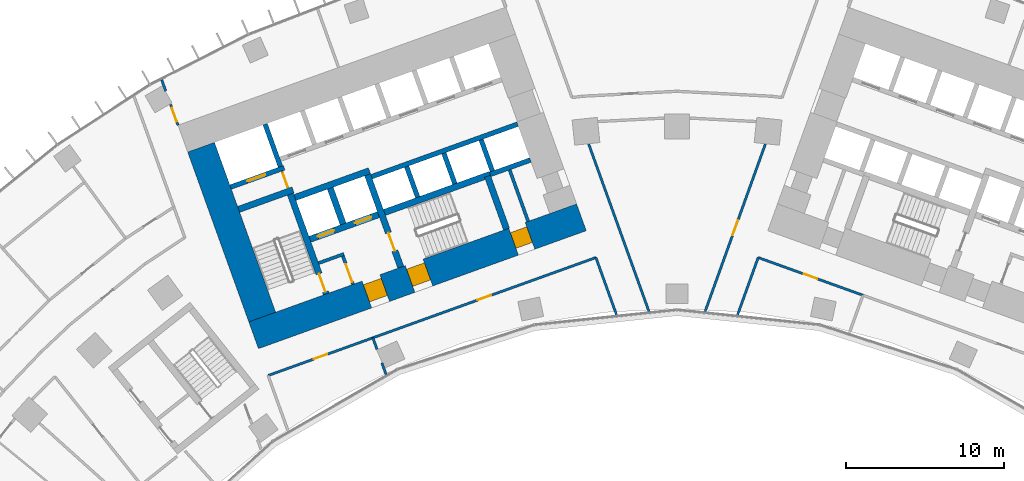
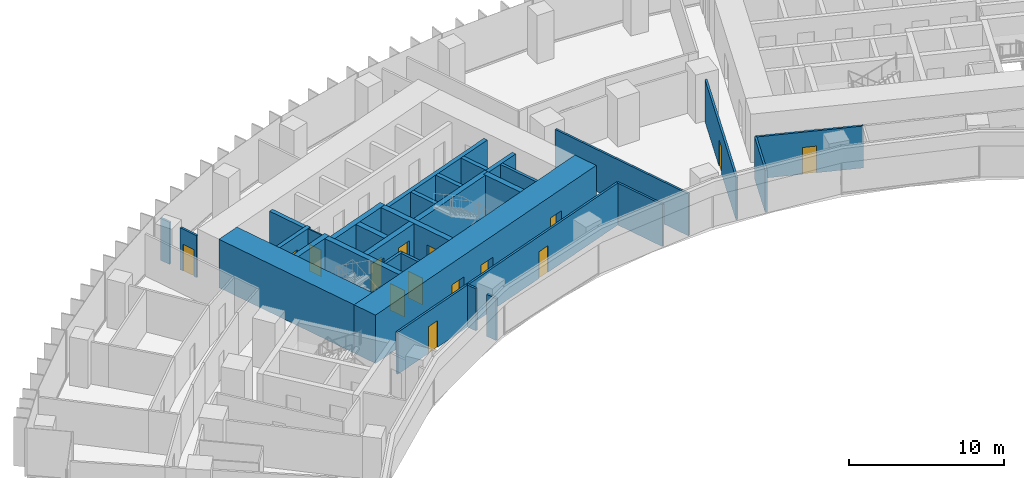
# One storey, part 18 of 24: 31 walls, 15 doors, 15 openings.
"""IFC4 building model written with IfcOpenShell, lengths in metres."""

from ifc_helpers import new_model, si_unit, direction, frame, frame_2d, origin, place, context, subcontext, project, spatial, rectangle, extrude, material, layer, layer_set, type_object, element, fill, save


model = new_model("IFC4")

# Units and contexts
model_context = context("Model", 3, precision=1e-05, world=origin(), true_north=direction((0.0, 1.0)))
body_context = subcontext(model_context, "Body", "Model", "MODEL_VIEW")
ifc_project = project(units=[si_unit("LENGTHUNIT", "METRE"), si_unit("AREAUNIT", "SQUARE_METRE"), si_unit("VOLUMEUNIT", "CUBIC_METRE"), si_unit("PLANEANGLEUNIT", "RADIAN"), si_unit("MASSUNIT", "GRAM", prefix="KILO")], contexts=[model_context])

# Site, building, storey
site_placement = place(None, origin())
site = spatial("IfcSite", under=ifc_project, at=site_placement, CompositionType="ELEMENT")
building_placement = place(site_placement, origin())
building = spatial("IfcBuilding", under=site, at=building_placement, Name="Stone Belt Terrace Tower", CompositionType="ELEMENT")
storey_placement = place(building_placement, frame((0.0, 0.0, 75.60009765625)))
storey = spatial("IfcBuildingStorey", under=building, at=storey_placement, Name="L18", CompositionType="ELEMENT", Elevation=75.60009765625)

# Wall, opening, door
ifc_material_1 = material(Name="Plasterboard partition")
ifc_layer_1 = layer(ifc_material_1, 0.10009765625)
ifc_layer_set_1 = layer_set([ifc_layer_1], Name="Core partition 100")
wall_type_1 = type_object("IfcWallType", Name="Core partition 100", PredefinedType="PARTITIONING", material=ifc_layer_set_1)
wall_1_placement = place(storey_placement, frame((-24.555908203125, 51.10400390625, 0.0), z_axis=(0.0, 0.0, 1.0), x_axis=(-0.338621735342, 0.94092258999, 0.0)))
wall_1 = element("IfcWall", 1, at=wall_1_placement, inside=storey, type_object=wall_type_1, Name="Core A wall", PredefinedType="PARTITIONING", context=body_context, shape_type="SweptSolid", body=[
    extrude(rectangle(XDim=1.14990234375, YDim=0.10009765625, at=frame_2d((0.574951171875, 0.0))), origin(), (0.0, 0.0, 1.0), 3.2998046875),
])
opening_1_placement = place(wall_1_placement, frame((0.050048828125, 0.0, 0.0)))
opening_1 = element("IfcOpeningElement", 2, at=opening_1_placement, cuts=wall_1, Name="Opening L18-C01", PredefinedType="OPENING", context=body_context, shape_type="SweptSolid", body=[
    extrude(rectangle(XDim=1.0, YDim=2.10009765625, at=frame_2d((0.5, 1.050048828125))), frame((0.0, 0.06005859375, 0.0), z_axis=(0.0, -1.0, 0.0), x_axis=(1.0, 0.0, 0.0)), (0.0, 0.0, 1.0), 0.1201171875),
])
ifc_material_2 = material(Name="Timber door leaf", Category="wood")
door_type_1 = type_object("IfcDoorType", Name="Core room door 1000", OperationType="SINGLE_SWING_LEFT", PredefinedType="DOOR", material=ifc_material_2)
door_1_placement = place(opening_1_placement, origin())
door_1 = element("IfcDoor", 3, at=door_1_placement, inside=storey, type_object=door_type_1, Name="Service lift lobby door core A", OperationType="SINGLE_SWING_RIGHT", OverallHeight=2.10009765625, OverallWidth=1.0, PredefinedType="DOOR", context=body_context, shape_type="SweptSolid", body=[
    extrude(rectangle(XDim=1.0, YDim=2.10009765625, at=frame_2d((0.5, 1.050048828125))), frame((0.0, 0.02490234375, 0.0), z_axis=(0.0, -1.0, 0.0), x_axis=(1.0, 0.0, 0.0)), (0.0, 0.0, 1.0), 0.050048828125),
])
fill(opening_1, door_1)

# Wall, openings, doors
ifc_material_3 = material(Name="Concrete B80", Category="concrete")
ifc_layer_2 = layer(ifc_material_3, 1.800048828125)
ifc_layer_set_2 = layer_set([ifc_layer_2], Name="Core wall 1800 B80")
wall_type_2 = type_object("IfcWallType", Name="Core wall 1800 B80", PredefinedType="SHEAR", material=ifc_layer_set_2)
wall_2_placement = place(storey_placement, frame((-26.739501953125, 41.815673828125, 0.0), z_axis=(0.0, 0.0, 1.0), x_axis=(0.940921642213, 0.338624368902, 0.0)))
wall_2 = element("IfcWall", 4, at=wall_2_placement, inside=storey, type_object=wall_type_2, Name="Core A wall concave L18", PredefinedType="SHEAR", context=body_context, shape_type="SweptSolid", body=[
    extrude(rectangle(XDim=22.0, YDim=1.800048828125, at=frame_2d((11.0, 0.0))), origin(), (0.0, 0.0, 1.0), 3.7998046875),
])
opening_2_placement = place(wall_2_placement, frame((7.60009765625, 0.0, 0.0)))
opening_2 = element("IfcOpeningElement", 5, at=opening_2_placement, cuts=wall_2, Name="Opening L18-C05", PredefinedType="OPENING", context=body_context, shape_type="SweptSolid", body=[
    extrude(rectangle(XDim=1.199951171875, YDim=2.10009765625, at=frame_2d((0.60009765625, 1.050048828125))), frame((0.0, 0.909912109375, 0.0), z_axis=(0.0, -1.0, 0.0), x_axis=(1.0, 0.0, 0.0)), (0.0, 0.0, 1.0), 1.820068359375),
])
opening_3_placement = place(wall_2_placement, frame((10.5, 0.0, 0.0)))
opening_3 = element("IfcOpeningElement", 6, at=opening_3_placement, cuts=wall_2, Name="Opening L18-C07", PredefinedType="OPENING", context=body_context, shape_type="SweptSolid", body=[
    extrude(rectangle(XDim=1.199951171875, YDim=2.10009765625, at=frame_2d((0.60009765625, 1.050048828125))), frame((0.0, 0.909912109375, 0.0), z_axis=(0.0, -1.0, 0.0), x_axis=(1.0, 0.0, 0.0)), (0.0, 0.0, 1.0), 1.820068359375),
])
opening_4_placement = place(wall_2_placement, frame((17.449951171875, 0.0, 0.0)))
opening_4 = element("IfcOpeningElement", 7, at=opening_4_placement, cuts=wall_2, Name="Opening L18-C09", PredefinedType="OPENING", context=body_context, shape_type="SweptSolid", body=[
    extrude(rectangle(XDim=1.10009765625, YDim=2.10009765625, at=frame_2d((0.550048828125, 1.050048828125))), frame((0.0, 0.909912109375, 0.0), z_axis=(0.0, -1.0, 0.0), x_axis=(1.0, 0.0, 0.0)), (0.0, 0.0, 1.0), 1.820068359375),
])
door_type_2 = type_object("IfcDoorType", Name="Core room door 1100", OperationType="SINGLE_SWING_LEFT", PredefinedType="DOOR", material=ifc_material_2)
door_2_placement = place(opening_4_placement, origin())
door_2 = element("IfcDoor", 8, at=door_2_placement, inside=storey, type_object=door_type_2, Name="Door to Communications riser room core A", OperationType="SINGLE_SWING_RIGHT", OverallHeight=2.10009765625, OverallWidth=1.10009765625, PredefinedType="DOOR", context=body_context, shape_type="SweptSolid", body=[
    extrude(rectangle(XDim=1.10009765625, YDim=2.10009765625, at=frame_2d((0.550048828125, 1.050048828125))), frame((0.0, 0.60498046875, 0.0), z_axis=(0.0, -1.0, 0.0), x_axis=(1.0, 0.0, 0.0)), (0.0, 0.0, 1.0), 1.050048828125),
])
fill(opening_4, door_2)
ifc_material_4 = material(Name="Steel door leaf", Category="steel")
door_type_3 = type_object("IfcDoorType", Name="Fire-fighting lobby door 1200", OperationType="SINGLE_SWING_LEFT", PredefinedType="DOOR", material=ifc_material_4)
door_3_placement = place(opening_2_placement, origin())
door_3 = element("IfcDoor", 9, at=door_3_placement, inside=storey, type_object=door_type_3, Name="Fire-fighting lobby door core A", OperationType="SINGLE_SWING_RIGHT", OverallHeight=2.10009765625, OverallWidth=1.199951171875, PredefinedType="DOOR", context=body_context, shape_type="SweptSolid", body=[
    extrude(rectangle(XDim=1.199951171875, YDim=2.10009765625, at=frame_2d((0.60009765625, 1.050048828125))), frame((0.0, 0.655029296875, 0.0), z_axis=(0.0, -1.0, 0.0), x_axis=(1.0, 0.0, 0.0)), (0.0, 0.0, 1.0), 1.14990234375),
])
fill(opening_2, door_3)
door_type_4 = type_object("IfcDoorType", Name="Stair door 1200", OperationType="SINGLE_SWING_LEFT", PredefinedType="DOOR", material=ifc_material_4)
door_4_placement = place(opening_3_placement, origin())
door_4 = element("IfcDoor", 10, at=door_4_placement, inside=storey, type_object=door_type_4, Name="Stair 2 exit door core A", OperationType="SINGLE_SWING_LEFT", OverallHeight=2.10009765625, OverallWidth=1.199951171875, PredefinedType="DOOR", context=body_context, shape_type="SweptSolid", body=[
    extrude(rectangle(XDim=1.199951171875, YDim=2.10009765625, at=frame_2d((0.60009765625, 1.050048828125))), frame((0.0, 0.655029296875, 0.0), z_axis=(0.0, -1.0, 0.0), x_axis=(1.0, 0.0, 0.0)), (0.0, 0.0, 1.0), 1.14990234375),
])
fill(opening_3, door_4)

# Walls
wall_3_placement = place(storey_placement, frame((-26.197509765625, 42.96728515625, 0.0), z_axis=(0.0, 0.0, 1.0), x_axis=(-0.338625431531, 0.940921259788, 0.0)))
element("IfcWall", 11, at=wall_3_placement, inside=storey, type_object=wall_type_2, Name="Core A wall end_a L18", PredefinedType="SHEAR", context=body_context, shape_type="SweptSolid", body=[
    extrude(rectangle(XDim=11.400146484375, YDim=1.800048828125, at=frame_2d((5.7001953125, 0.0))), origin(), (0.0, 0.0, 1.0), 3.7998046875),
])
ifc_layer_3 = layer(ifc_material_3, 0.39990234375)
ifc_layer_set_3 = layer_set([ifc_layer_3], Name="Fire-fighting lift shaft wall 400")
wall_type_3 = type_object("IfcWallType", Name="Fire-fighting lift shaft wall 400", PredefinedType="SHEAR", material=ifc_layer_set_3)
wall_4_placement = place(storey_placement, frame((-24.130615234375, 50.512939453125, 0.0), z_axis=(0.0, 0.0, 1.0), x_axis=(0.94091168377, 0.338652038744, 0.0)))
element("IfcWall", 12, at=wall_4_placement, inside=storey, type_object=wall_type_3, Name="Core A wall", PredefinedType="SHEAR", context=body_context, shape_type="SweptSolid", body=[
    extrude(rectangle(XDim=5.000244140625, YDim=0.39990234375, at=frame_2d((2.5, 0.0))), origin(), (0.0, 0.0, 1.0), 3.2998046875),
])
wall_5_placement = place(storey_placement, frame((-21.0859375, 48.845458984375, 0.0), z_axis=(0.0, 0.0, 1.0), x_axis=(-0.338629416206, 0.940919825745, 0.0)))
element("IfcWall", 13, at=wall_5_placement, inside=storey, type_object=wall_type_3, Name="Core A wall", PredefinedType="SHEAR", context=body_context, shape_type="SweptSolid", body=[
    extrude(rectangle(XDim=2.400146484375, YDim=0.39990234375, at=frame_2d((1.2001953125, 0.0))), origin(), (0.0, 0.0, 1.0), 3.2998046875),
])

# Wall, opening, door
ifc_layer_4 = layer(ifc_material_3, 0.300048828125)
ifc_layer_set_4 = layer_set([ifc_layer_4], Name="Lift shaft wall 300")
wall_type_4 = type_object("IfcWallType", Name="Lift shaft wall 300", PredefinedType="SHEAR", material=ifc_layer_set_4)
wall_6_placement = place(storey_placement, frame((-28.195068359375, 51.17578125, 0.0), z_axis=(0.0, 0.0, 1.0), x_axis=(0.940901243567, 0.338681044427, 0.0)))
wall_6 = element("IfcWall", 14, at=wall_6_placement, inside=storey, type_object=wall_type_4, Name="Core A wall", PredefinedType="SHEAR", context=body_context, shape_type="SweptSolid", body=[
    extrude(rectangle(XDim=3.599853515625, YDim=0.300048828125, at=frame_2d((1.7998046875, 0.0))), origin(), (0.0, 0.0, 1.0), 3.2998046875),
])
opening_5_placement = place(wall_6_placement, frame((1.1201171875, 0.0, 0.0)))
opening_5 = element("IfcOpeningElement", 15, at=opening_5_placement, cuts=wall_6, Name="Opening L18-LD09", PredefinedType="OPENING", context=body_context, shape_type="SweptSolid", body=[
    extrude(rectangle(XDim=1.199951171875, YDim=2.199951171875, at=frame_2d((0.60009765625, 1.10009765625))), frame((0.0, 0.159912109375, 0.0), z_axis=(0.0, -1.0, 0.0), x_axis=(1.0, 0.0, 0.0)), (0.0, 0.0, 1.0), 0.320068359375),
])
ifc_material_5 = material(Name="Stainless steel door leaf", Category="steel")
door_type_5 = type_object("IfcDoorType", Name="Landing door 1200", OperationType="SLIDING_TO_LEFT", PredefinedType="DOOR", material=ifc_material_5)
door_5_placement = place(opening_5_placement, origin())
door_5 = element("IfcDoor", 16, at=door_5_placement, inside=storey, type_object=door_type_5, Name="Landing door SV1 core A", OperationType="SLIDING_TO_LEFT", OverallHeight=2.199951171875, OverallWidth=1.199951171875, PredefinedType="DOOR", context=body_context, shape_type="SweptSolid", body=[
    extrude(rectangle(XDim=1.199951171875, YDim=2.199951171875, at=frame_2d((0.60009765625, 1.10009765625))), frame((0.0, 0.02490234375, 0.0), z_axis=(0.0, -1.0, 0.0), x_axis=(1.0, 0.0, 0.0)), (0.0, 0.0, 1.0), 0.050048828125),
])
fill(opening_5, door_5)

# Walls
wall_7_placement = place(storey_placement, frame((-25.046875, 52.46826171875, 0.0), z_axis=(0.0, 0.0, 1.0), x_axis=(-0.338549588058, 0.940948551423, 0.0)))
element("IfcWall", 17, at=wall_7_placement, inside=storey, type_object=wall_type_4, Name="Core A wall", PredefinedType="SHEAR", context=body_context, shape_type="SweptSolid", body=[
    extrude(rectangle(XDim=2.849853515625, YDim=0.300048828125, at=frame_2d((1.4248046875, 0.0))), origin(), (0.0, 0.0, 1.0), 3.2998046875),
])
wall_8_placement = place(storey_placement, frame((-19.29052734375, 51.829833984375, 0.0), z_axis=(0.0, 0.0, 1.0), x_axis=(0.940925833398, 0.338612722803, 0.0)))
element("IfcWall", 18, at=wall_8_placement, inside=storey, type_object=wall_type_4, Name="Core A wall", PredefinedType="SHEAR", context=body_context, shape_type="SweptSolid", body=[
    extrude(rectangle(XDim=9.7998046875, YDim=0.300048828125, at=frame_2d((4.89990234375, 0.0))), origin(), (0.0, 0.0, 1.0), 3.2998046875),
])
for number, where, z_axis, x_axis, name in (
    (19, (-16.38134765625, 50.53857421875, 0.0), (0.0, 0.0, 1.0), (-0.338681515556, 0.940901073982, 0.0), "Core A wall"),
    (20, (-14.029052734375, 51.38525390625, 0.0), (0.0, 0.0, 1.0), (-0.338681515556, 0.940901073982, 0.0), "Core A wall"),
):
    element("IfcWall", number, at=place(storey_placement, frame(where, z_axis=z_axis, x_axis=x_axis)), inside=storey, type_object=wall_type_4, Name=name, PredefinedType="SHEAR", context=body_context, shape_type="SweptSolid", body=[
        extrude(rectangle(XDim=2.050048828125, YDim=0.300048828125, at=frame_2d((1.02490234375, 0.0))), origin(), (0.0, 0.0, 1.0), 3.2998046875),
    ])
wall_9_placement = place(storey_placement, frame((-11.797119140625, 51.975830078125, 0.0), z_axis=(0.0, 0.0, 1.0), x_axis=(0.940910465161, 0.33865542451, 0.0)))
element("IfcWall", 21, at=wall_9_placement, inside=storey, type_object=wall_type_4, Name="Core A wall", PredefinedType="SHEAR", context=body_context, shape_type="SweptSolid", body=[
    extrude(rectangle(XDim=2.69970703125, YDim=0.300048828125, at=frame_2d((1.349853515625, 0.0))), origin(), (0.0, 0.0, 1.0), 3.2998046875),
])
wall_10_placement = place(storey_placement, frame((-11.659912109375, 52.184814453125, 0.0), z_axis=(0.0, 0.0, 1.0), x_axis=(-0.338670064856, 0.940905195634, 0.0)))
element("IfcWall", 22, at=wall_10_placement, inside=storey, type_object=wall_type_4, Name="Core A wall", PredefinedType="SHEAR", context=body_context, shape_type="SweptSolid", body=[
    extrude(rectangle(XDim=2.099853515625, YDim=0.300048828125, at=frame_2d((1.0498046875, 0.0))), origin(), (0.0, 0.0, 1.0), 3.2998046875),
])
ifc_material_6 = material(Name="Gypsum board partition")
ifc_layer_5 = layer(ifc_material_6, 0.14990234375)
ifc_layer_set_5 = layer_set([ifc_layer_5], Name="PARTITION 150 EI 60")
wall_type_5 = type_object("IfcWallType", Name="PARTITION 150 EI 60", PredefinedType="PARTITIONING", material=ifc_layer_set_5)
wall_11_placement = place(storey_placement, frame((-32.5458984375, 57.947998046875, 0.0), z_axis=(0.0, 0.0, 1.0), x_axis=(0.338960201827, -0.940800712998, 0.0)))
element("IfcWall", 23, at=wall_11_placement, inside=storey, type_object=wall_type_5, Name="L18/wall/i002", PredefinedType="PARTITIONING", context=body_context, shape_type="SweptSolid", body=[
    extrude(rectangle(XDim=0.754150390625, YDim=0.14990234375, at=frame_2d((0.376953125, 0.0))), origin(), (0.0, 0.0, 1.0), 3.2998046875),
])

# Wall, opening, door
wall_12_placement = place(storey_placement, frame((-31.98681640625, 56.39599609375, 0.0), z_axis=(0.0, 0.0, 1.0), x_axis=(0.338861945182, -0.940836107995, 0.0)))
wall_12 = element("IfcWall", 24, at=wall_12_placement, inside=storey, type_object=wall_type_5, Name="L18/wall/i003", PredefinedType="PARTITIONING", context=body_context, shape_type="SweptSolid", body=[
    extrude(rectangle(XDim=1.3955078125, YDim=0.14990234375, at=frame_2d((0.69775390625, 0.0))), origin(), (0.0, 0.0, 1.0), 3.2998046875),
])
opening_6_placement = place(wall_12_placement, frame((0.247802734375, 0.0, 0.0)))
opening_6 = element("IfcOpeningElement", 25, at=opening_6_placement, cuts=wall_12, Name="Opening D-A5-03", PredefinedType="OPENING", context=body_context, shape_type="SweptSolid", body=[
    extrude(rectangle(XDim=0.89990234375, YDim=2.10009765625, at=frame_2d((0.449951171875, 1.050048828125))), frame((0.0, 0.0849609375, 0.0), z_axis=(0.0, -1.0, 0.0), x_axis=(1.0, 0.0, 0.0)), (0.0, 0.0, 1.0), 0.169921875),
])
door_type_6 = type_object("IfcDoorType", Name="OFFICE DOOR 900 X 2100", OperationType="NOTDEFINED", PredefinedType="DOOR", material=ifc_material_2)
door_6_placement = place(opening_6_placement, origin())
door_6 = element("IfcDoor", 26, at=door_6_placement, inside=storey, type_object=door_type_6, Name="L18/door/i03", OperationType="SINGLE_SWING_RIGHT", OverallHeight=2.10009765625, OverallWidth=0.89990234375, PredefinedType="DOOR", context=body_context, shape_type="SweptSolid", body=[
    extrude(rectangle(XDim=0.89990234375, YDim=2.10009765625, at=frame_2d((0.449951171875, 1.050048828125))), frame((0.0, 0.02490234375, 0.0), z_axis=(0.0, -1.0, 0.0), x_axis=(1.0, 0.0, 0.0)), (0.0, 0.0, 1.0), 0.050048828125),
])
fill(opening_6, door_6)

# Walls
wall_13_placement = place(storey_placement, frame((-3.819580078125, 43.0986328125, 0.0), z_axis=(0.0, 0.0, 1.0), x_axis=(-0.338659002829, 0.940909177234, 0.0)))
element("IfcWall", 27, at=wall_13_placement, inside=storey, type_object=wall_type_5, Name="L18/wall/i008", PredefinedType="PARTITIONING", context=body_context, shape_type="SweptSolid", body=[
    extrude(rectangle(XDim=3.8603515625, YDim=0.14990234375, at=frame_2d((1.93017578125, 0.0))), origin(), (0.0, 0.0, 1.0), 3.2998046875),
])
wall_14_placement = place(storey_placement, frame((-5.574951171875, 53.88232421875, 0.0), z_axis=(0.0, 0.0, 1.0), x_axis=(0.338622486498, -0.940922319662, 0.0)))
element("IfcWall", 28, at=wall_14_placement, inside=storey, type_object=wall_type_5, Name="L18/wall/i010", PredefinedType="PARTITIONING", context=body_context, shape_type="SweptSolid", body=[
    extrude(rectangle(XDim=11.232177734375, YDim=0.14990234375, at=frame_2d((5.6162109375, 0.0))), origin(), (0.0, 0.0, 1.0), 3.2998046875),
])

# Wall, opening, door
wall_15_placement = place(storey_placement, frame((-19.2041015625, 41.657958984375, 0.0), z_axis=(0.0, 0.0, 1.0), x_axis=(-0.940907755702, -0.338662952299, 0.0)))
wall_15 = element("IfcWall", 29, at=wall_15_placement, inside=storey, type_object=wall_type_5, Name="L18/wall/i012", PredefinedType="PARTITIONING", context=body_context, shape_type="SweptSolid", body=[
    extrude(rectangle(XDim=7.03662109375, YDim=0.14990234375, at=frame_2d((3.518310546875, 0.0))), origin(), (0.0, 0.0, 1.0), 3.2998046875),
])
opening_7_placement = place(wall_15_placement, frame((3.068359375, 0.0, 0.0)))
opening_7 = element("IfcOpeningElement", 30, at=opening_7_placement, cuts=wall_15, Name="Opening D-A5-01", PredefinedType="OPENING", context=body_context, shape_type="SweptSolid", body=[
    extrude(rectangle(XDim=0.89990234375, YDim=2.10009765625, at=frame_2d((0.449951171875, 1.050048828125))), frame((0.0, 0.0849609375, 0.0), z_axis=(0.0, -1.0, 0.0), x_axis=(1.0, 0.0, 0.0)), (0.0, 0.0, 1.0), 0.169921875),
])
door_7_placement = place(opening_7_placement, origin())
door_7 = element("IfcDoor", 31, at=door_7_placement, inside=storey, type_object=door_type_6, Name="L18/door/i01", OperationType="SINGLE_SWING_RIGHT", OverallHeight=2.10009765625, OverallWidth=0.89990234375, PredefinedType="DOOR", context=body_context, shape_type="SweptSolid", body=[
    extrude(rectangle(XDim=0.89990234375, YDim=2.10009765625, at=frame_2d((0.449951171875, 1.050048828125))), frame((0.0, 0.02490234375, 0.0), z_axis=(0.0, -1.0, 0.0), x_axis=(1.0, 0.0, 0.0)), (0.0, 0.0, 1.0), 0.050048828125),
])
fill(opening_7, door_7)

wall_16_placement = place(storey_placement, frame((-5.125, 46.72509765625, 0.0), z_axis=(0.0, 0.0, 1.0), x_axis=(-0.940924398341, -0.338616710466, 0.0)))
wall_16 = element("IfcWall", 32, at=wall_16_placement, inside=storey, type_object=wall_type_5, Name="L18/wall/i013", PredefinedType="PARTITIONING", context=body_context, shape_type="SweptSolid", body=[
    extrude(rectangle(XDim=14.975830078125, YDim=0.14990234375, at=frame_2d((7.48779296875, 0.0))), origin(), (0.0, 0.0, 1.0), 3.2998046875),
])
opening_8_placement = place(wall_16_placement, frame((7.037841796875, 0.0, 0.0)))
opening_8 = element("IfcOpeningElement", 33, at=opening_8_placement, cuts=wall_16, Name="Opening D-A5-02", PredefinedType="OPENING", context=body_context, shape_type="SweptSolid", body=[
    extrude(rectangle(XDim=0.89990234375, YDim=2.10009765625, at=frame_2d((0.449951171875, 1.050048828125))), frame((0.0, 0.0849609375, 0.0), z_axis=(0.0, -1.0, 0.0), x_axis=(1.0, 0.0, 0.0)), (0.0, 0.0, 1.0), 0.169921875),
])
door_8_placement = place(opening_8_placement, origin())
door_8 = element("IfcDoor", 34, at=door_8_placement, inside=storey, type_object=door_type_6, Name="L18/door/i02", OperationType="SINGLE_SWING_RIGHT", OverallHeight=2.10009765625, OverallWidth=0.89990234375, PredefinedType="DOOR", context=body_context, shape_type="SweptSolid", body=[
    extrude(rectangle(XDim=0.89990234375, YDim=2.10009765625, at=frame_2d((0.449951171875, 1.050048828125))), frame((0.0, 0.02490234375, 0.0), z_axis=(0.0, -1.0, 0.0), x_axis=(1.0, 0.0, 0.0)), (0.0, 0.0, 1.0), 0.050048828125),
])
fill(opening_8, door_8)

# Walls
wall_17_placement = place(storey_placement, frame((-19.2099609375, 41.656005859375, 0.0), z_axis=(0.0, 0.0, 1.0), x_axis=(0.338584750812, -0.940935899261, 0.0)))
element("IfcWall", 35, at=wall_17_placement, inside=storey, type_object=wall_type_5, Name="L18/wall/i014", PredefinedType="PARTITIONING", context=body_context, shape_type="SweptSolid", body=[
    extrude(rectangle(XDim=0.77001953125, YDim=0.14990234375, at=frame_2d((0.385009765625, 0.0))), origin(), (0.0, 0.0, 1.0), 3.2998046875),
])
wall_18_placement = place(storey_placement, frame((-18.637939453125, 40.06640625, 0.0), z_axis=(0.0, 0.0, 1.0), x_axis=(0.338933376884, -0.940810377299, 0.0)))
element("IfcWall", 36, at=wall_18_placement, inside=storey, type_object=wall_type_5, Name="L18/wall/i015", PredefinedType="PARTITIONING", context=body_context, shape_type="SweptSolid", body=[
    extrude(rectangle(XDim=0.767822265625, YDim=0.14990234375, at=frame_2d((0.3837890625, 0.0))), origin(), (0.0, 0.0, 1.0), 3.2998046875),
])
wall_19_placement = place(storey_placement, frame((5.126953125, 46.73095703125, 0.0), z_axis=(0.0, 0.0, 1.0), x_axis=(-0.338659002829, -0.940909177234, 0.0)))
element("IfcWall", 37, at=wall_19_placement, inside=storey, type_object=wall_type_5, Name="L18/wall/i017", PredefinedType="PARTITIONING", context=body_context, shape_type="SweptSolid", body=[
    extrude(rectangle(XDim=3.8603515625, YDim=0.14990234375, at=frame_2d((1.93017578125, 0.0))), origin(), (0.0, 0.0, 1.0), 3.2998046875),
])

# Wall, opening, door
wall_20_placement = place(storey_placement, frame((1.771484375, 43.313720703125, 0.0), z_axis=(0.0, 0.0, 1.0), x_axis=(0.338622486498, 0.940922319662, 0.0)))
wall_20 = element("IfcWall", 38, at=wall_20_placement, inside=storey, type_object=wall_type_5, Name="L18/wall/i019", PredefinedType="PARTITIONING", context=body_context, shape_type="SweptSolid", body=[
    extrude(rectangle(XDim=11.232177734375, YDim=0.14990234375, at=frame_2d((5.6162109375, 0.0))), origin(), (0.0, 0.0, 1.0), 3.2998046875),
])
opening_9_placement = place(wall_20_placement, frame((5.1162109375, 0.0, 0.0)))
opening_9 = element("IfcOpeningElement", 39, at=opening_9_placement, cuts=wall_20, Name="Opening D-A5-24", PredefinedType="OPENING", context=body_context, shape_type="SweptSolid", body=[
    extrude(rectangle(XDim=1.0, YDim=2.10009765625, at=frame_2d((0.5, 1.050048828125))), frame((0.0, 0.0849609375, 0.0), z_axis=(0.0, -1.0, 0.0), x_axis=(1.0, 0.0, 0.0)), (0.0, 0.0, 1.0), 0.169921875),
])
ifc_material_7 = material(Name="Timber fire door leaf", Category="wood")
door_type_7 = type_object("IfcDoorType", Name="TENANCY ENTRANCE DOOR 1000 X 2100", OperationType="NOTDEFINED", PredefinedType="DOOR", material=ifc_material_7)
door_9_placement = place(opening_9_placement, origin())
door_9 = element("IfcDoor", 40, at=door_9_placement, inside=storey, type_object=door_type_7, Name="L18/door/i24", OperationType="SINGLE_SWING_LEFT", OverallHeight=2.10009765625, OverallWidth=1.0, PredefinedType="DOOR", context=body_context, shape_type="SweptSolid", body=[
    extrude(rectangle(XDim=1.0, YDim=2.10009765625, at=frame_2d((0.5, 1.050048828125))), frame((0.0, 0.02490234375, 0.0), z_axis=(0.0, -1.0, 0.0), x_axis=(1.0, 0.0, 0.0)), (0.0, 0.0, 1.0), 0.050048828125),
])
fill(opening_9, door_9)

wall_21_placement = place(storey_placement, frame((11.74609375, 44.342041015625, 0.0), z_axis=(0.0, 0.0, 1.0), x_axis=(-0.940911734826, 0.338651896889, 0.0)))
wall_21 = element("IfcWall", 41, at=wall_21_placement, inside=storey, type_object=wall_type_5, Name="L18/wall/i027", PredefinedType="PARTITIONING", context=body_context, shape_type="SweptSolid", body=[
    extrude(rectangle(XDim=7.036865234375, YDim=0.14990234375, at=frame_2d((3.5185546875, 0.0))), origin(), (0.0, 0.0, 1.0), 3.2998046875),
])
opening_10_placement = place(wall_21_placement, frame((3.068359375, 0.0, 0.0)))
opening_10 = element("IfcOpeningElement", 42, at=opening_10_placement, cuts=wall_21, Name="Opening D-A5-05", PredefinedType="OPENING", context=body_context, shape_type="SweptSolid", body=[
    extrude(rectangle(XDim=0.89990234375, YDim=2.10009765625, at=frame_2d((0.449951171875, 1.050048828125))), frame((0.0, 0.0849609375, 0.0), z_axis=(0.0, -1.0, 0.0), x_axis=(1.0, 0.0, 0.0)), (0.0, 0.0, 1.0), 0.169921875),
])
door_10_placement = place(opening_10_placement, origin())
door_10 = element("IfcDoor", 43, at=door_10_placement, inside=storey, type_object=door_type_6, Name="L18/door/i05", OperationType="SINGLE_SWING_RIGHT", OverallHeight=2.10009765625, OverallWidth=0.89990234375, PredefinedType="DOOR", context=body_context, shape_type="SweptSolid", body=[
    extrude(rectangle(XDim=0.89990234375, YDim=2.10009765625, at=frame_2d((0.449951171875, 1.050048828125))), frame((0.0, 0.02490234375, 0.0), z_axis=(0.0, -1.0, 0.0), x_axis=(1.0, 0.0, 0.0)), (0.0, 0.0, 1.0), 0.050048828125),
])
fill(opening_10, door_10)

# Wall
ifc_material_8 = material(Name="Concrete masonry block", Category="masonry")
ifc_layer_6 = layer(ifc_material_8, 0.199951171875)
ifc_layer_set_6 = layer_set([ifc_layer_6], Name="Rated lobby wall 200")
wall_type_6 = type_object("IfcWallType", Name="Rated lobby wall 200", PredefinedType="PARTITIONING", material=ifc_layer_set_6)
wall_22_placement = place(storey_placement, frame((-22.640625, 46.373046875, 0.0), z_axis=(0.0, 0.0, 1.0), x_axis=(0.940966110313, 0.338500781747, 0.0)))
element("IfcWall", 44, at=wall_22_placement, inside=storey, type_object=wall_type_6, Name="Core A wall", PredefinedType="PARTITIONING", context=body_context, shape_type="SweptSolid", body=[
    extrude(rectangle(XDim=1.699951171875, YDim=0.199951171875, at=frame_2d((0.85009765625, 0.0))), origin(), (0.0, 0.0, 1.0), 3.2998046875),
])

# Wall, opening, door
wall_23_placement = place(storey_placement, frame((-20.4580078125, 45.032958984375, 0.0), z_axis=(0.0, 0.0, 1.0), x_axis=(-0.338573865316, 0.940939816208, 0.0)))
wall_23 = element("IfcWall", 45, at=wall_23_placement, inside=storey, type_object=wall_type_6, Name="Core A wall", PredefinedType="PARTITIONING", context=body_context, shape_type="SweptSolid", body=[
    extrude(rectangle(XDim=1.900146484375, YDim=0.199951171875, at=frame_2d((0.9501953125, 0.0))), origin(), (0.0, 0.0, 1.0), 3.2998046875),
])
opening_11_placement = place(wall_23_placement, frame((0.14990234375, 0.0, 0.0)))
opening_11 = element("IfcOpeningElement", 46, at=opening_11_placement, cuts=wall_23, Name="Opening L18-C04", PredefinedType="OPENING", context=body_context, shape_type="SweptSolid", body=[
    extrude(rectangle(XDim=1.199951171875, YDim=2.10009765625, at=frame_2d((0.60009765625, 1.050048828125))), frame((0.0, 0.10986328125, 0.0), z_axis=(0.0, -1.0, 0.0), x_axis=(1.0, 0.0, 0.0)), (0.0, 0.0, 1.0), 0.219970703125),
])
door_11_placement = place(opening_11_placement, origin())
door_11 = element("IfcDoor", 47, at=door_11_placement, inside=storey, type_object=door_type_4, Name="Stair airlock door core A", OperationType="SINGLE_SWING_RIGHT", OverallHeight=2.10009765625, OverallWidth=1.199951171875, PredefinedType="DOOR", context=body_context, shape_type="SweptSolid", body=[
    extrude(rectangle(XDim=1.199951171875, YDim=2.10009765625, at=frame_2d((0.60009765625, 1.050048828125))), frame((0.0, 0.02490234375, 0.0), z_axis=(0.0, -1.0, 0.0), x_axis=(1.0, 0.0, 0.0)), (0.0, 0.0, 1.0), 0.050048828125),
])
fill(opening_11, door_11)

# Walls
wall_24_placement = place(storey_placement, frame((-9.402099609375, 49.01171875, 0.0), z_axis=(0.0, 0.0, 1.0), x_axis=(-0.338599189079, 0.940930703695, 0.0)))
element("IfcWall", 48, at=wall_24_placement, inside=storey, type_object=wall_type_6, Name="Core A wall", PredefinedType="PARTITIONING", context=body_context, shape_type="SweptSolid", body=[
    extrude(rectangle(XDim=3.4501953125, YDim=0.199951171875, at=frame_2d((1.72509765625, 0.0))), origin(), (0.0, 0.0, 1.0), 3.2998046875),
])
ifc_layer_7 = layer(ifc_material_3, 0.39990234375)
ifc_layer_set_7 = layer_set([ifc_layer_7], Name="Stair enclosure wall 400")
wall_type_7 = type_object("IfcWallType", Name="Stair enclosure wall 400", PredefinedType="SHEAR", material=ifc_layer_set_7)
wall_25_placement = place(storey_placement, frame((-27.687255859375, 49.764404296875, 0.0), z_axis=(0.0, 0.0, 1.0), x_axis=(0.940918954884, 0.338631835981, 0.0)))
element("IfcWall", 49, at=wall_25_placement, inside=storey, type_object=wall_type_7, Name="Core A wall", PredefinedType="SHEAR", context=body_context, shape_type="SweptSolid", body=[
    extrude(rectangle(XDim=3.650146484375, YDim=0.39990234375, at=frame_2d((1.8251953125, 0.0))), origin(), (0.0, 0.0, 1.0), 3.2998046875),
])

# Wall, opening, door
wall_26_placement = place(storey_placement, frame((-22.151611328125, 44.42333984375, 0.0), z_axis=(0.0, 0.0, 1.0), x_axis=(-0.338625272931, 0.940921316866, 0.0)))
wall_26 = element("IfcWall", 50, at=wall_26_placement, inside=storey, type_object=wall_type_7, Name="Core A wall", PredefinedType="SHEAR", context=body_context, shape_type="SweptSolid", body=[
    extrude(rectangle(XDim=6.699951171875, YDim=0.39990234375, at=frame_2d((3.35009765625, 0.0))), origin(), (0.0, 0.0, 1.0), 3.2998046875),
])
opening_12_placement = place(wall_26_placement, frame((0.14990234375, 0.0, 0.0)))
opening_12 = element("IfcOpeningElement", 51, at=opening_12_placement, cuts=wall_26, Name="Opening L18-C03", PredefinedType="OPENING", context=body_context, shape_type="SweptSolid", body=[
    extrude(rectangle(XDim=1.199951171875, YDim=2.10009765625, at=frame_2d((0.60009765625, 1.050048828125))), frame((0.0, 0.2099609375, 0.0), z_axis=(0.0, -1.0, 0.0), x_axis=(1.0, 0.0, 0.0)), (0.0, 0.0, 1.0), 0.419921875),
])
door_12_placement = place(opening_12_placement, origin())
door_12 = element("IfcDoor", 52, at=door_12_placement, inside=storey, type_object=door_type_4, Name="Stair 1 door core A", OperationType="SINGLE_SWING_RIGHT", OverallHeight=2.10009765625, OverallWidth=1.199951171875, PredefinedType="DOOR", context=body_context, shape_type="SweptSolid", body=[
    extrude(rectangle(XDim=1.199951171875, YDim=2.10009765625, at=frame_2d((0.60009765625, 1.050048828125))), frame((0.0, 0.02490234375, 0.0), z_axis=(0.0, -1.0, 0.0), x_axis=(1.0, 0.0, 0.0)), (0.0, 0.0, 1.0), 0.050048828125),
])
fill(opening_12, door_12)

# Wall, openings, doors
wall_27_placement = place(storey_placement, frame((-23.182373046875, 47.87841796875, 0.0), z_axis=(0.0, 0.0, 1.0), x_axis=(0.940921101762, 0.338625870628, 0.0)))
wall_27 = element("IfcWall", 53, at=wall_27_placement, inside=storey, type_object=wall_type_7, Name="Core A wall", PredefinedType="SHEAR", context=body_context, shape_type="SweptSolid", body=[
    extrude(rectangle(XDim=12.10009765625, YDim=0.39990234375, at=frame_2d((6.050048828125, 0.0))), origin(), (0.0, 0.0, 1.0), 3.2998046875),
])
opening_13_placement = place(wall_27_placement, frame((0.52001953125, 0.0, 0.0)))
opening_13 = element("IfcOpeningElement", 54, at=opening_13_placement, cuts=wall_27, Name="Opening L18-LD07", PredefinedType="OPENING", context=body_context, shape_type="SweptSolid", body=[
    extrude(rectangle(XDim=1.10009765625, YDim=2.199951171875, at=frame_2d((0.550048828125, 1.10009765625))), frame((0.0, 0.2099609375, 0.0), z_axis=(0.0, -1.0, 0.0), x_axis=(1.0, 0.0, 0.0)), (0.0, 0.0, 1.0), 0.419921875),
])
opening_14_placement = place(wall_27_placement, frame((3.02001953125, 0.0, 0.0)))
opening_14 = element("IfcOpeningElement", 55, at=opening_14_placement, cuts=wall_27, Name="Opening L18-LD08", PredefinedType="OPENING", context=body_context, shape_type="SweptSolid", body=[
    extrude(rectangle(XDim=1.10009765625, YDim=2.199951171875, at=frame_2d((0.550048828125, 1.10009765625))), frame((0.0, 0.2099609375, 0.0), z_axis=(0.0, -1.0, 0.0), x_axis=(1.0, 0.0, 0.0)), (0.0, 0.0, 1.0), 0.419921875),
])
door_type_8 = type_object("IfcDoorType", Name="Landing door 1100", OperationType="SLIDING_TO_LEFT", PredefinedType="DOOR", material=ifc_material_5)
door_13_placement = place(opening_13_placement, origin())
door_13 = element("IfcDoor", 56, at=door_13_placement, inside=storey, type_object=door_type_8, Name="Landing door FF1 core A", OperationType="SLIDING_TO_LEFT", OverallHeight=2.199951171875, OverallWidth=1.10009765625, PredefinedType="DOOR", context=body_context, shape_type="SweptSolid", body=[
    extrude(rectangle(XDim=1.10009765625, YDim=2.199951171875, at=frame_2d((0.550048828125, 1.10009765625))), frame((0.0, 0.02490234375, 0.0), z_axis=(0.0, -1.0, 0.0), x_axis=(1.0, 0.0, 0.0)), (0.0, 0.0, 1.0), 0.050048828125),
])
fill(opening_13, door_13)
door_14_placement = place(opening_14_placement, origin())
door_14 = element("IfcDoor", 57, at=door_14_placement, inside=storey, type_object=door_type_8, Name="Landing door FF2 core A", OperationType="SLIDING_TO_LEFT", OverallHeight=2.199951171875, OverallWidth=1.10009765625, PredefinedType="DOOR", context=body_context, shape_type="SweptSolid", body=[
    extrude(rectangle(XDim=1.10009765625, YDim=2.199951171875, at=frame_2d((0.550048828125, 1.10009765625))), frame((0.0, 0.02490234375, 0.0), z_axis=(0.0, -1.0, 0.0), x_axis=(1.0, 0.0, 0.0)), (0.0, 0.0, 1.0), 0.050048828125),
])
fill(opening_14, door_14)

# Wall, opening, door
wall_28_placement = place(storey_placement, frame((-17.447021484375, 46.116455078125, 0.0), z_axis=(0.0, 0.0, 1.0), x_axis=(-0.33860791464, 0.940927563707, 0.0)))
wall_28 = element("IfcWall", 58, at=wall_28_placement, inside=storey, type_object=wall_type_7, Name="Core A wall", PredefinedType="SHEAR", context=body_context, shape_type="SweptSolid", body=[
    extrude(rectangle(XDim=6.199951171875, YDim=0.39990234375, at=frame_2d((3.10009765625, 0.0))), origin(), (0.0, 0.0, 1.0), 3.2998046875),
])
opening_15_placement = place(wall_28_placement, frame((1.10009765625, 0.0, 0.0)))
opening_15 = element("IfcOpeningElement", 59, at=opening_15_placement, cuts=wall_28, Name="Opening L18-C06", PredefinedType="OPENING", context=body_context, shape_type="SweptSolid", body=[
    extrude(rectangle(XDim=1.199951171875, YDim=2.10009765625, at=frame_2d((0.60009765625, 1.050048828125))), frame((0.0, 0.2099609375, 0.0), z_axis=(0.0, -1.0, 0.0), x_axis=(1.0, 0.0, 0.0)), (0.0, 0.0, 1.0), 0.419921875),
])
door_15_placement = place(opening_15_placement, origin())
door_15 = element("IfcDoor", 60, at=door_15_placement, inside=storey, type_object=door_type_4, Name="Stair 2 door core A", OperationType="SINGLE_SWING_RIGHT", OverallHeight=2.10009765625, OverallWidth=1.199951171875, PredefinedType="DOOR", context=body_context, shape_type="SweptSolid", body=[
    extrude(rectangle(XDim=1.199951171875, YDim=2.10009765625, at=frame_2d((0.60009765625, 1.050048828125))), frame((0.0, 0.02490234375, 0.0), z_axis=(0.0, -1.0, 0.0), x_axis=(1.0, 0.0, 0.0)), (0.0, 0.0, 1.0), 0.050048828125),
])
fill(opening_15, door_15)

# Wall
wall_29_placement = place(storey_placement, frame((-10.766357421875, 48.520751953125, 0.0), z_axis=(0.0, 0.0, 1.0), x_axis=(-0.338626928157, 0.94092072117, 0.0)))
element("IfcWall", 61, at=wall_29_placement, inside=storey, type_object=wall_type_7, Name="Core A wall", PredefinedType="SHEAR", context=body_context, shape_type="SweptSolid", body=[
    extrude(rectangle(XDim=3.550048828125, YDim=0.39990234375, at=frame_2d((1.77490234375, 0.0))), origin(), (0.0, 0.0, 1.0), 3.2998046875),
])

save(model, "model.ifc")
